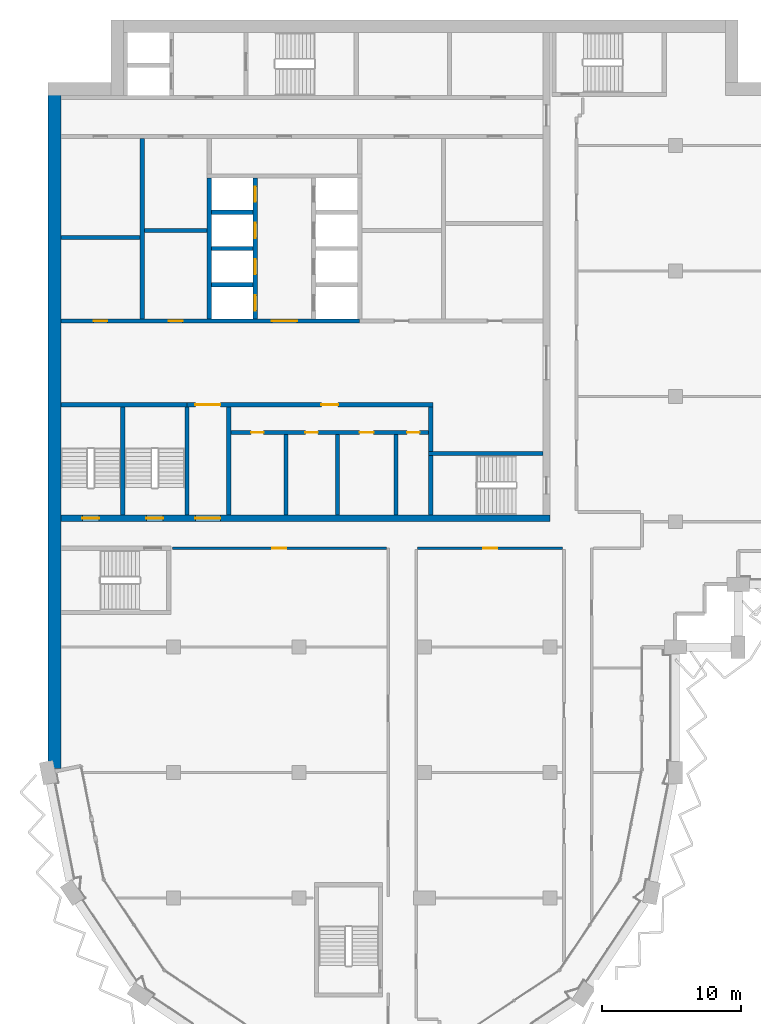
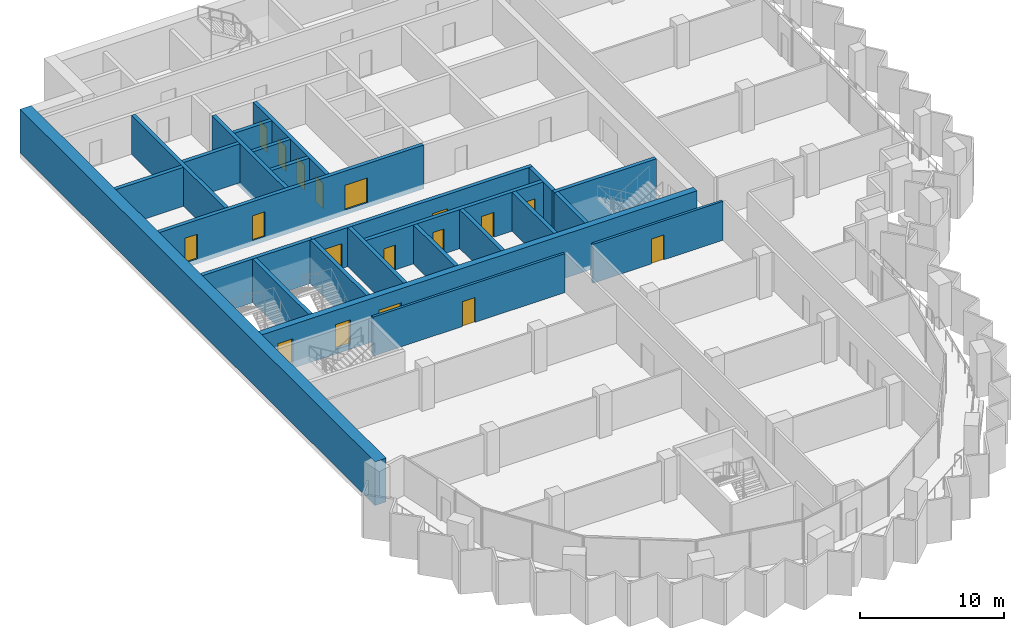
# One storey, part 8 of 16: 25 walls, 18 doors, 18 openings.
"""IFC4 building model written with IfcOpenShell, lengths in metres."""

from ifc_helpers import new_model, si_unit, direction, frame, frame_2d, origin, place, context, subcontext, project, spatial, rectangle, extrude, material, layer, layer_set, type_object, element, fill, save


model = new_model("IFC4")

# Units and contexts
model_context = context("Model", 3, precision=1e-05, world=origin(), true_north=direction((0.0, 1.0)))
body_context = subcontext(model_context, "Body", "Model", "MODEL_VIEW")
ifc_project = project(units=[si_unit("LENGTHUNIT", "METRE"), si_unit("AREAUNIT", "SQUARE_METRE"), si_unit("VOLUMEUNIT", "CUBIC_METRE"), si_unit("PLANEANGLEUNIT", "RADIAN"), si_unit("MASSUNIT", "GRAM", prefix="KILO")], contexts=[model_context])

# Site, building, storey
site_placement = place(None, origin())
site = spatial("IfcSite", under=ifc_project, at=site_placement, CompositionType="ELEMENT")
building_placement = place(site_placement, origin())
building = spatial("IfcBuilding", under=site, at=building_placement, Name="Hunhe Ridgeline Campus", CompositionType="ELEMENT")
storey_placement = place(building_placement, frame((0.0, 0.0, 239.199951171875)))
storey = spatial("IfcBuildingStorey", under=building, at=storey_placement, Name="L61", CompositionType="ELEMENT", Elevation=239.199951171875)

# Wall, openings, doors
ifc_material_1 = material(Name="Masonry concrete blockwork", Category="masonry")
ifc_layer_1 = layer(ifc_material_1, 0.300048828125)
ifc_layer_set_1 = layer_set([ifc_layer_1], Name="Core room partition 300 concrete block")
wall_type_1 = type_object("IfcWallType", Name="Core room partition 300 concrete block", PredefinedType="PARTITIONING", material=ifc_layer_set_1)
wall_1_placement = place(storey_placement, frame((13.10009765625, 69.39990234375, 0.0), z_axis=(0.0, 0.0, 1.0), x_axis=(1.0, 0.0, 0.0)))
wall_1 = element("IfcWall", 1, at=wall_1_placement, inside=storey, type_object=wall_type_1, Name="L61 core partition 7", PredefinedType="PARTITIONING", context=body_context, shape_type="SweptSolid", body=[
    extrude(rectangle(XDim=14.199951171875, YDim=0.300048828125, at=frame_2d((7.10009765625, 0.0))), origin(), (0.0, 0.0, 1.0), 3.300048828125),
])
opening_1_placement = place(wall_1_placement, frame((1.449951171875, 0.0, 0.0)))
opening_1 = element("IfcOpeningElement", 2, at=opening_1_placement, cuts=wall_1, Name="Opening CD8", PredefinedType="OPENING", context=body_context, shape_type="SweptSolid", body=[
    extrude(rectangle(XDim=0.89990234375, YDim=2.10009765625, at=frame_2d((0.449951171875, 1.050048828125))), frame((0.0, 0.14990234375, 0.0), z_axis=(0.0, -1.0, 0.0), x_axis=(1.0, 0.0, 0.0)), (0.0, 0.0, 1.0), 0.300048828125),
])
opening_2_placement = place(wall_1_placement, frame((5.35009765625, 0.0, 0.0)))
opening_2 = element("IfcOpeningElement", 3, at=opening_2_placement, cuts=wall_1, Name="Opening CD9", PredefinedType="OPENING", context=body_context, shape_type="SweptSolid", body=[
    extrude(rectangle(XDim=0.89990234375, YDim=2.10009765625, at=frame_2d((0.449951171875, 1.050048828125))), frame((0.0, 0.14990234375, 0.0), z_axis=(0.0, -1.0, 0.0), x_axis=(1.0, 0.0, 0.0)), (0.0, 0.0, 1.0), 0.300048828125),
])
opening_3_placement = place(wall_1_placement, frame((9.25, 0.0, 0.0)))
opening_3 = element("IfcOpeningElement", 4, at=opening_3_placement, cuts=wall_1, Name="Opening CD10", PredefinedType="OPENING", context=body_context, shape_type="SweptSolid", body=[
    extrude(rectangle(XDim=1.0, YDim=2.10009765625, at=frame_2d((0.5, 1.050048828125))), frame((0.0, 0.14990234375, 0.0), z_axis=(0.0, -1.0, 0.0), x_axis=(1.0, 0.0, 0.0)), (0.0, 0.0, 1.0), 0.300048828125),
])
opening_4_placement = place(wall_1_placement, frame((12.64990234375, 0.0, 0.0)))
opening_4 = element("IfcOpeningElement", 5, at=opening_4_placement, cuts=wall_1, Name="Opening CD11", PredefinedType="OPENING", context=body_context, shape_type="SweptSolid", body=[
    extrude(rectangle(XDim=0.89990234375, YDim=2.10009765625, at=frame_2d((0.449951171875, 1.050048828125))), frame((0.0, 0.14990234375, 0.0), z_axis=(0.0, -1.0, 0.0), x_axis=(1.0, 0.0, 0.0)), (0.0, 0.0, 1.0), 0.300048828125),
])
ifc_material_2 = material(Name="Solid core timber door leaf", Category="wood")
door_type_1 = type_object("IfcDoorType", Name="Timber door 1000x2100", OperationType="SINGLE_SWING_LEFT", PredefinedType="DOOR", material=ifc_material_2)
door_1_placement = place(opening_3_placement, frame((1.0, 0.0, 0.0), z_axis=(0.0, 0.0, 1.0), x_axis=(-1.0, 0.0, 0.0)))
door_1 = element("IfcDoor", 6, at=door_1_placement, inside=storey, type_object=door_type_1, Name="L61 door WC3", OperationType="SINGLE_SWING_LEFT", OverallHeight=2.10009765625, OverallWidth=1.0, PredefinedType="DOOR", context=body_context, shape_type="SweptSolid", body=[
    extrude(rectangle(XDim=1.0, YDim=2.10009765625, at=frame_2d((0.5, 1.050048828125))), frame((0.0, 0.02490234375, 0.0), z_axis=(0.0, -1.0, 0.0), x_axis=(1.0, 0.0, 0.0)), (0.0, 0.0, 1.0), 0.050048828125),
])
fill(opening_3, door_1)
door_type_2 = type_object("IfcDoorType", Name="Timber door 900x2100", OperationType="SINGLE_SWING_LEFT", PredefinedType="DOOR", material=ifc_material_2)
door_2_placement = place(opening_1_placement, frame((0.89990234375, 0.0, 0.0), z_axis=(0.0, 0.0, 1.0), x_axis=(-1.0, 0.0, 0.0)))
door_2 = element("IfcDoor", 7, at=door_2_placement, inside=storey, type_object=door_type_2, Name="L61 door WC1", OperationType="SINGLE_SWING_LEFT", OverallHeight=2.10009765625, OverallWidth=0.89990234375, PredefinedType="DOOR", context=body_context, shape_type="SweptSolid", body=[
    extrude(rectangle(XDim=0.89990234375, YDim=2.10009765625, at=frame_2d((0.449951171875, 1.050048828125))), frame((0.0, 0.02490234375, 0.0), z_axis=(0.0, -1.0, 0.0), x_axis=(1.0, 0.0, 0.0)), (0.0, 0.0, 1.0), 0.050048828125),
])
fill(opening_1, door_2)
door_3_placement = place(opening_2_placement, frame((0.89990234375, 0.0, 0.0), z_axis=(0.0, 0.0, 1.0), x_axis=(-1.0, 0.0, 0.0)))
door_3 = element("IfcDoor", 8, at=door_3_placement, inside=storey, type_object=door_type_2, Name="L61 door WC2", OperationType="SINGLE_SWING_RIGHT", OverallHeight=2.10009765625, OverallWidth=0.89990234375, PredefinedType="DOOR", context=body_context, shape_type="SweptSolid", body=[
    extrude(rectangle(XDim=0.89990234375, YDim=2.10009765625, at=frame_2d((0.449951171875, 1.050048828125))), frame((0.0, 0.02490234375, 0.0), z_axis=(0.0, -1.0, 0.0), x_axis=(1.0, 0.0, 0.0)), (0.0, 0.0, 1.0), 0.050048828125),
])
fill(opening_2, door_3)
door_4_placement = place(opening_4_placement, frame((0.89990234375, 0.0, 0.0), z_axis=(0.0, 0.0, 1.0), x_axis=(-1.0, 0.0, 0.0)))
door_4 = element("IfcDoor", 9, at=door_4_placement, inside=storey, type_object=door_type_2, Name="L61 door WC4", OperationType="SINGLE_SWING_RIGHT", OverallHeight=2.10009765625, OverallWidth=0.89990234375, PredefinedType="DOOR", context=body_context, shape_type="SweptSolid", body=[
    extrude(rectangle(XDim=0.89990234375, YDim=2.10009765625, at=frame_2d((0.449951171875, 1.050048828125))), frame((0.0, 0.02490234375, 0.0), z_axis=(0.0, -1.0, 0.0), x_axis=(1.0, 0.0, 0.0)), (0.0, 0.0, 1.0), 0.050048828125),
])
fill(opening_4, door_4)

wall_2_placement = place(storey_placement, frame((9.949951171875, 71.39990234375, 0.0), z_axis=(0.0, 0.0, 1.0), x_axis=(1.0, 0.0, 0.0)))
wall_2 = element("IfcWall", 10, at=wall_2_placement, inside=storey, type_object=wall_type_1, Name="L61 core partition 9", PredefinedType="PARTITIONING", context=body_context, shape_type="SweptSolid", body=[
    extrude(rectangle(XDim=17.650146484375, YDim=0.300048828125, at=frame_2d((8.8251953125, 0.0))), origin(), (0.0, 0.0, 1.0), 3.300048828125),
])
opening_5_placement = place(wall_2_placement, frame((0.60009765625, 0.0, 0.0)))
opening_5 = element("IfcOpeningElement", 11, at=opening_5_placement, cuts=wall_2, Name="Opening CD7", PredefinedType="OPENING", context=body_context, shape_type="SweptSolid", body=[
    extrude(rectangle(XDim=1.800048828125, YDim=2.10009765625, at=frame_2d((0.89990234375, 1.050048828125))), frame((0.0, 0.14990234375, 0.0), z_axis=(0.0, -1.0, 0.0), x_axis=(1.0, 0.0, 0.0)), (0.0, 0.0, 1.0), 0.300048828125),
])
opening_6_placement = place(wall_2_placement, frame((9.64990234375, 0.0, 0.0)))
opening_6 = element("IfcOpeningElement", 12, at=opening_6_placement, cuts=wall_2, Name="Opening CD12", PredefinedType="OPENING", context=body_context, shape_type="SweptSolid", body=[
    extrude(rectangle(XDim=1.199951171875, YDim=2.10009765625, at=frame_2d((0.60009765625, 1.050048828125))), frame((0.0, 0.14990234375, 0.0), z_axis=(0.0, -1.0, 0.0), x_axis=(1.0, 0.0, 0.0)), (0.0, 0.0, 1.0), 0.300048828125),
])
ifc_material_3 = material(Name="Anodised aluminium and glass", Category="aluminium")
door_type_3 = type_object("IfcDoorType", Name="Glazed double door 1800x2100", OperationType="DOUBLE_DOOR_SINGLE_SWING", PredefinedType="DOOR", material=ifc_material_3)
door_5_placement = place(opening_5_placement, origin())
door_5 = element("IfcDoor", 13, at=door_5_placement, inside=storey, type_object=door_type_3, Name="L61 door VEST-HALL", OperationType="DOUBLE_DOOR_SINGLE_SWING", OverallHeight=2.10009765625, OverallWidth=1.800048828125, PredefinedType="DOOR", context=body_context, shape_type="SweptSolid", body=[
    extrude(rectangle(XDim=1.800048828125, YDim=2.10009765625, at=frame_2d((0.89990234375, 1.050048828125))), frame((0.0, 0.02490234375, 0.0), z_axis=(0.0, -1.0, 0.0), x_axis=(1.0, 0.0, 0.0)), (0.0, 0.0, 1.0), 0.050048828125),
])
fill(opening_5, door_5)
door_type_4 = type_object("IfcDoorType", Name="Timber door 1200x2100", OperationType="SINGLE_SWING_LEFT", PredefinedType="DOOR", material=ifc_material_2)
door_6_placement = place(opening_6_placement, origin())
door_6 = element("IfcDoor", 14, at=door_6_placement, inside=storey, type_object=door_type_4, Name="L61 door WCL2-HALL", OperationType="SINGLE_SWING_RIGHT", OverallHeight=2.10009765625, OverallWidth=1.199951171875, PredefinedType="DOOR", context=body_context, shape_type="SweptSolid", body=[
    extrude(rectangle(XDim=1.199951171875, YDim=2.10009765625, at=frame_2d((0.60009765625, 1.050048828125))), frame((0.0, 0.02490234375, 0.0), z_axis=(0.0, -1.0, 0.0), x_axis=(1.0, 0.0, 0.0)), (0.0, 0.0, 1.0), 0.050048828125),
])
fill(opening_6, door_6)

# Walls
wall_3_placement = place(storey_placement, frame((0.89990234375, 83.39990234375, 0.0), z_axis=(0.0, 0.0, 1.0), x_axis=(1.0, 0.0, 0.0)))
element("IfcWall", 15, at=wall_3_placement, inside=storey, type_object=wall_type_1, Name="L61 core partition 16", PredefinedType="PARTITIONING", context=body_context, shape_type="SweptSolid", body=[
    extrude(rectangle(XDim=5.7001953125, YDim=0.300048828125, at=frame_2d((2.85009765625, 0.0))), origin(), (0.0, 0.0, 1.0), 3.300048828125),
])
wall_4_placement = place(storey_placement, frame((6.89990234375, 83.89990234375, 0.0), z_axis=(0.0, 0.0, 1.0), x_axis=(1.0, 0.0, 0.0)))
element("IfcWall", 16, at=wall_4_placement, inside=storey, type_object=wall_type_1, Name="L61 core partition 17", PredefinedType="PARTITIONING", context=body_context, shape_type="SweptSolid", body=[
    extrude(rectangle(XDim=4.5, YDim=0.300048828125, at=frame_2d((2.25, 0.0))), origin(), (0.0, 0.0, 1.0), 3.300048828125),
])
wall_5_placement = place(storey_placement, frame((6.75, 77.550048828125, 0.0), z_axis=(0.0, 0.0, 1.0), x_axis=(0.0, 1.0, 0.0)))
element("IfcWall", 17, at=wall_5_placement, inside=storey, type_object=wall_type_1, Name="L61 core partition 29", PredefinedType="PARTITIONING", context=body_context, shape_type="SweptSolid", body=[
    extrude(rectangle(XDim=12.949951171875, YDim=0.300048828125, at=frame_2d((6.47509765625, 0.0))), origin(), (0.0, 0.0, 1.0), 3.300048828125),
])
wall_6_placement = place(storey_placement, frame((12.949951171875, 63.5, 0.0), z_axis=(0.0, 0.0, 1.0), x_axis=(0.0, 1.0, 0.0)))
element("IfcWall", 18, at=wall_6_placement, inside=storey, type_object=wall_type_1, Name="L61 core partition 35", PredefinedType="PARTITIONING", context=body_context, shape_type="SweptSolid", body=[
    extrude(rectangle(XDim=7.75, YDim=0.300048828125, at=frame_2d((3.875, 0.0))), origin(), (0.0, 0.0, 1.0), 3.300048828125),
])
for number, where, z_axis, x_axis, name in (
    (19, (17.050048828125, 63.5, 0.0), (0.0, 0.0, 1.0), (0.0, 1.0, 0.0), "L61 core partition 38"),
    (20, (20.75, 63.5, 0.0), (0.0, 0.0, 1.0), (0.0, 1.0, 0.0), "L61 core partition 41"),
    (21, (24.949951171875, 63.5, 0.0), (0.0, 0.0, 1.0), (0.0, 1.0, 0.0), "L61 core partition 46"),
):
    element("IfcWall", number, at=place(storey_placement, frame(where, z_axis=z_axis, x_axis=x_axis)), inside=storey, type_object=wall_type_1, Name=name, PredefinedType="PARTITIONING", context=body_context, shape_type="SweptSolid", body=[
        extrude(rectangle(XDim=5.75, YDim=0.300048828125, at=frame_2d((2.875, 0.0))), origin(), (0.0, 0.0, 1.0), 3.300048828125),
    ])
wall_7_placement = place(storey_placement, frame((27.449951171875, 68.050048828125, 0.0), z_axis=(0.0, 0.0, 1.0), x_axis=(0.0, 1.0, 0.0)))
element("IfcWall", 22, at=wall_7_placement, inside=storey, type_object=wall_type_1, Name="L61 core partition 48", PredefinedType="PARTITIONING", context=body_context, shape_type="SweptSolid", body=[
    extrude(rectangle(XDim=3.199951171875, YDim=0.300048828125, at=frame_2d((1.60009765625, 0.0))), origin(), (0.0, 0.0, 1.0), 3.300048828125),
])

# Wall, openings, doors
ifc_material_4 = material(Name="Concrete C50", Category="concrete")
ifc_layer_2 = layer(ifc_material_4, 0.5)
ifc_layer_set_2 = layer_set([ifc_layer_2], Name="Core wall 500 reinforced concrete C50")
wall_type_2 = type_object("IfcWallType", Name="Core wall 500 reinforced concrete C50", PredefinedType="SOLIDWALL", material=ifc_layer_set_2)
wall_8_placement = place(storey_placement, frame((0.89990234375, 63.25, -0.39990234375), z_axis=(0.0, 0.0, 1.0), x_axis=(1.0, 0.0, 0.0)))
wall_8 = element("IfcWall", 23, at=wall_8_placement, inside=storey, type_object=wall_type_2, Name="L61 core wall 5", PredefinedType="SOLIDWALL", context=body_context, shape_type="SweptSolid", body=[
    extrude(rectangle(XDim=35.10009765625, YDim=0.5, at=frame_2d((17.550048828125, 0.0))), origin(), (0.0, 0.0, 1.0), 3.699951171875),
])
opening_7_placement = place(wall_8_placement, frame((9.64990234375, 0.0, 0.39990234375)))
opening_7 = element("IfcOpeningElement", 24, at=opening_7_placement, cuts=wall_8, Name="Opening CD6", PredefinedType="OPENING", context=body_context, shape_type="SweptSolid", body=[
    extrude(rectangle(XDim=1.800048828125, YDim=2.10009765625, at=frame_2d((0.89990234375, 1.050048828125))), frame((0.0, 0.25, 0.0), z_axis=(0.0, -1.0, 0.0), x_axis=(1.0, 0.0, 0.0)), (0.0, 0.0, 1.0), 0.5),
])
opening_8_placement = place(wall_8_placement, frame((1.550048828125, 0.0, 0.39990234375)))
opening_8 = element("IfcOpeningElement", 25, at=opening_8_placement, cuts=wall_8, Name="Opening CD13", PredefinedType="OPENING", context=body_context, shape_type="SweptSolid", body=[
    extrude(rectangle(XDim=1.199951171875, YDim=2.10009765625, at=frame_2d((0.60009765625, 1.050048828125))), frame((0.0, 0.25, 0.0), z_axis=(0.0, -1.0, 0.0), x_axis=(1.0, 0.0, 0.0)), (0.0, 0.0, 1.0), 0.5),
])
opening_9_placement = place(wall_8_placement, frame((6.14990234375, 0.0, 0.39990234375)))
opening_9 = element("IfcOpeningElement", 26, at=opening_9_placement, cuts=wall_8, Name="Opening CD14", PredefinedType="OPENING", context=body_context, shape_type="SweptSolid", body=[
    extrude(rectangle(XDim=1.199951171875, YDim=2.10009765625, at=frame_2d((0.60009765625, 1.050048828125))), frame((0.0, 0.25, 0.0), z_axis=(0.0, -1.0, 0.0), x_axis=(1.0, 0.0, 0.0)), (0.0, 0.0, 1.0), 0.5),
])
door_7_placement = place(opening_7_placement, frame((1.800048828125, 0.0, 0.0), z_axis=(0.0, 0.0, 1.0), x_axis=(-1.0, 0.0, 0.0)))
door_7 = element("IfcDoor", 27, at=door_7_placement, inside=storey, type_object=door_type_3, Name="L61 door VEST-FLOOR", OperationType="DOUBLE_DOOR_SINGLE_SWING", OverallHeight=2.10009765625, OverallWidth=1.800048828125, PredefinedType="DOOR", context=body_context, shape_type="SweptSolid", body=[
    extrude(rectangle(XDim=1.800048828125, YDim=2.10009765625, at=frame_2d((0.89990234375, 1.050048828125))), frame((0.0, 0.02490234375, 0.0), z_axis=(0.0, -1.0, 0.0), x_axis=(1.0, 0.0, 0.0)), (0.0, 0.0, 1.0), 0.050048828125),
])
fill(opening_7, door_7)
ifc_material_5 = material(Name="Hollow metal fire door leaf")
door_type_5 = type_object("IfcDoorType", Name="Stair door 1200x2100 FD60", OperationType="SINGLE_SWING_LEFT", PredefinedType="DOOR", material=ifc_material_5)
door_8_placement = place(opening_8_placement, frame((1.199951171875, 0.0, 0.0), z_axis=(0.0, 0.0, 1.0), x_axis=(-1.0, 0.0, 0.0)))
door_8 = element("IfcDoor", 28, at=door_8_placement, inside=storey, type_object=door_type_5, Name="L61 door S3", OperationType="SINGLE_SWING_LEFT", OverallHeight=2.10009765625, OverallWidth=1.199951171875, PredefinedType="DOOR", context=body_context, shape_type="SweptSolid", body=[
    extrude(rectangle(XDim=1.199951171875, YDim=2.10009765625, at=frame_2d((0.60009765625, 1.050048828125))), frame((0.0, 0.02490234375, 0.0), z_axis=(0.0, -1.0, 0.0), x_axis=(1.0, 0.0, 0.0)), (0.0, 0.0, 1.0), 0.050048828125),
])
fill(opening_8, door_8)
door_9_placement = place(opening_9_placement, frame((1.199951171875, 0.0, 0.0), z_axis=(0.0, 0.0, 1.0), x_axis=(-1.0, 0.0, 0.0)))
door_9 = element("IfcDoor", 29, at=door_9_placement, inside=storey, type_object=door_type_5, Name="L61 door S4", OperationType="SINGLE_SWING_RIGHT", OverallHeight=2.10009765625, OverallWidth=1.199951171875, PredefinedType="DOOR", context=body_context, shape_type="SweptSolid", body=[
    extrude(rectangle(XDim=1.199951171875, YDim=2.10009765625, at=frame_2d((0.60009765625, 1.050048828125))), frame((0.0, 0.02490234375, 0.0), z_axis=(0.0, -1.0, 0.0), x_axis=(1.0, 0.0, 0.0)), (0.0, 0.0, 1.0), 0.050048828125),
])
fill(opening_9, door_9)

# Wall, opening, door
ifc_material_6 = material(Name="Gypsum board partition")
ifc_layer_3 = layer(ifc_material_6, 0.199951171875)
ifc_layer_set_3 = layer_set([ifc_layer_3], Name="Corridor partition 200 gypsum board on steel studs")
wall_type_3 = type_object("IfcWallType", Name="Corridor partition 200 gypsum board on steel studs", PredefinedType="PARTITIONING", material=ifc_layer_set_3)
wall_9_placement = place(storey_placement, frame((24.265380859375, 61.10009765625, 0.0), z_axis=(0.0, 0.0, 1.0), x_axis=(-1.0, 0.0, 0.0)))
wall_9 = element("IfcWall", 30, at=wall_9_placement, inside=storey, type_object=wall_type_3, Name="F-L61-wall-019", PredefinedType="PARTITIONING", context=body_context, shape_type="SweptSolid", body=[
    extrude(rectangle(XDim=15.361328125, YDim=0.199951171875, at=frame_2d((7.6806640625, 0.0))), origin(), (0.0, 0.0, 1.0), 3.300048828125),
])
opening_10_placement = place(wall_9_placement, frame((7.1806640625, 0.0, 0.0)))
opening_10 = element("IfcOpeningElement", 31, at=opening_10_placement, cuts=wall_9, Name="Opening RD1-011", PredefinedType="OPENING", context=body_context, shape_type="SweptSolid", body=[
    extrude(rectangle(XDim=1.0, YDim=2.10009765625, at=frame_2d((0.5, 1.050048828125))), frame((0.0, 0.10009765625, 0.0), z_axis=(0.0, -1.0, 0.0), x_axis=(1.0, 0.0, 0.0)), (0.0, 0.0, 1.0), 0.199951171875),
])
ifc_material_7 = material(Name="Timber door leaf", Category="wood")
door_type_6 = type_object("IfcDoorType", Name="Single fire door 1000x2100 timber FD60", OperationType="NOTDEFINED", PredefinedType="DOOR", material=ifc_material_7)
door_10_placement = place(opening_10_placement, origin())
door_10 = element("IfcDoor", 32, at=door_10_placement, inside=storey, type_object=door_type_6, Name="F-L61-door-011", OperationType="SINGLE_SWING_LEFT", OverallHeight=2.10009765625, OverallWidth=1.0, PredefinedType="DOOR", context=body_context, shape_type="SweptSolid", body=[
    extrude(rectangle(XDim=1.0, YDim=2.10009765625, at=frame_2d((0.5, 1.050048828125))), frame((0.0, 0.02490234375, 0.0), z_axis=(0.0, -1.0, 0.0), x_axis=(1.0, 0.0, 0.0)), (0.0, 0.0, 1.0), 0.050048828125),
])
fill(opening_10, door_10)

wall_10_placement = place(storey_placement, frame((36.89990234375, 61.10009765625, 0.0), z_axis=(0.0, 0.0, 1.0), x_axis=(-1.0, 0.0, 0.0)))
wall_10 = element("IfcWall", 33, at=wall_10_placement, inside=storey, type_object=wall_type_3, Name="F-L61-wall-020", PredefinedType="PARTITIONING", context=body_context, shape_type="SweptSolid", body=[
    extrude(rectangle(XDim=10.39990234375, YDim=0.199951171875, at=frame_2d((5.199951171875, 0.0))), origin(), (0.0, 0.0, 1.0), 3.300048828125),
])
opening_11_placement = place(wall_10_placement, frame((4.699951171875, 0.0, 0.0)))
opening_11 = element("IfcOpeningElement", 34, at=opening_11_placement, cuts=wall_10, Name="Opening RD1-012", PredefinedType="OPENING", context=body_context, shape_type="SweptSolid", body=[
    extrude(rectangle(XDim=1.0, YDim=2.10009765625, at=frame_2d((0.5, 1.050048828125))), frame((0.0, 0.10009765625, 0.0), z_axis=(0.0, -1.0, 0.0), x_axis=(1.0, 0.0, 0.0)), (0.0, 0.0, 1.0), 0.199951171875),
])
door_11_placement = place(opening_11_placement, origin())
door_11 = element("IfcDoor", 35, at=door_11_placement, inside=storey, type_object=door_type_6, Name="F-L61-door-012", OperationType="SINGLE_SWING_LEFT", OverallHeight=2.10009765625, OverallWidth=1.0, PredefinedType="DOOR", context=body_context, shape_type="SweptSolid", body=[
    extrude(rectangle(XDim=1.0, YDim=2.10009765625, at=frame_2d((0.5, 1.050048828125))), frame((0.0, 0.02490234375, 0.0), z_axis=(0.0, -1.0, 0.0), x_axis=(1.0, 0.0, 0.0)), (0.0, 0.0, 1.0), 0.050048828125),
])
fill(opening_11, door_11)

# Wall, openings, doors
ifc_layer_4 = layer(ifc_material_4, 0.300048828125)
ifc_layer_set_4 = layer_set([ifc_layer_4], Name="Shaft wall 300 reinforced concrete C50")
wall_type_4 = type_object("IfcWallType", Name="Shaft wall 300 reinforced concrete C50", PredefinedType="SOLIDWALL", material=ifc_layer_set_4)
wall_11_placement = place(storey_placement, frame((0.89990234375, 77.39990234375, -0.39990234375), z_axis=(0.0, 0.0, 1.0), x_axis=(1.0, 0.0, 0.0)))
wall_11 = element("IfcWall", 36, at=wall_11_placement, inside=storey, type_object=wall_type_4, Name="L61 core wall 10", PredefinedType="SOLIDWALL", context=body_context, shape_type="SweptSolid", body=[
    extrude(rectangle(XDim=21.4501953125, YDim=0.300048828125, at=frame_2d((10.72509765625, 0.0))), origin(), (0.0, 0.0, 1.0), 3.699951171875),
])
opening_12_placement = place(wall_11_placement, frame((15.14990234375, 0.0, 0.39990234375)))
opening_12 = element("IfcOpeningElement", 37, at=opening_12_placement, cuts=wall_11, Name="Opening CD38", PredefinedType="OPENING", context=body_context, shape_type="SweptSolid", body=[
    extrude(rectangle(XDim=1.800048828125, YDim=2.10009765625, at=frame_2d((0.89990234375, 1.050048828125))), frame((0.0, 0.14990234375, 0.0), z_axis=(0.0, -1.0, 0.0), x_axis=(1.0, 0.0, 0.0)), (0.0, 0.0, 1.0), 0.300048828125),
])
opening_13_placement = place(wall_11_placement, frame((2.35009765625, 0.0, 0.39990234375)))
opening_13 = element("IfcOpeningElement", 38, at=opening_13_placement, cuts=wall_11, Name="Opening CD39", PredefinedType="OPENING", context=body_context, shape_type="SweptSolid", body=[
    extrude(rectangle(XDim=1.0, YDim=2.10009765625, at=frame_2d((0.5, 1.050048828125))), frame((0.0, 0.14990234375, 0.0), z_axis=(0.0, -1.0, 0.0), x_axis=(1.0, 0.0, 0.0)), (0.0, 0.0, 1.0), 0.300048828125),
])
opening_14_placement = place(wall_11_placement, frame((7.75, 0.0, 0.39990234375)))
opening_14 = element("IfcOpeningElement", 39, at=opening_14_placement, cuts=wall_11, Name="Opening CD41", PredefinedType="OPENING", context=body_context, shape_type="SweptSolid", body=[
    extrude(rectangle(XDim=1.0, YDim=2.10009765625, at=frame_2d((0.5, 1.050048828125))), frame((0.0, 0.14990234375, 0.0), z_axis=(0.0, -1.0, 0.0), x_axis=(1.0, 0.0, 0.0)), (0.0, 0.0, 1.0), 0.300048828125),
])
door_type_7 = type_object("IfcDoorType", Name="Lobby door 1800x2100 FD60", OperationType="SINGLE_SWING_LEFT", PredefinedType="DOOR", material=ifc_material_5)
door_12_placement = place(opening_12_placement, frame((1.800048828125, 0.0, 0.0), z_axis=(0.0, 0.0, 1.0), x_axis=(-1.0, 0.0, 0.0)))
door_12 = element("IfcDoor", 40, at=door_12_placement, inside=storey, type_object=door_type_7, Name="L61 door LOB-HR", OperationType="SINGLE_SWING_RIGHT", OverallHeight=2.10009765625, OverallWidth=1.800048828125, PredefinedType="DOOR", context=body_context, shape_type="SweptSolid", body=[
    extrude(rectangle(XDim=1.800048828125, YDim=2.10009765625, at=frame_2d((0.89990234375, 1.050048828125))), frame((0.0, 0.02490234375, 0.0), z_axis=(0.0, -1.0, 0.0), x_axis=(1.0, 0.0, 0.0)), (0.0, 0.0, 1.0), 0.050048828125),
])
fill(opening_12, door_12)
door_13_placement = place(opening_13_placement, origin())
door_13 = element("IfcDoor", 41, at=door_13_placement, inside=storey, type_object=door_type_1, Name="L61 door VD-LR0", OperationType="SINGLE_SWING_RIGHT", OverallHeight=2.10009765625, OverallWidth=1.0, PredefinedType="DOOR", context=body_context, shape_type="SweptSolid", body=[
    extrude(rectangle(XDim=1.0, YDim=2.10009765625, at=frame_2d((0.5, 1.050048828125))), frame((0.0, 0.02490234375, 0.0), z_axis=(0.0, -1.0, 0.0), x_axis=(1.0, 0.0, 0.0)), (0.0, 0.0, 1.0), 0.050048828125),
])
fill(opening_13, door_13)
door_14_placement = place(opening_14_placement, origin())
door_14 = element("IfcDoor", 42, at=door_14_placement, inside=storey, type_object=door_type_1, Name="L61 door VD-LR2", OperationType="SINGLE_SWING_RIGHT", OverallHeight=2.10009765625, OverallWidth=1.0, PredefinedType="DOOR", context=body_context, shape_type="SweptSolid", body=[
    extrude(rectangle(XDim=1.0, YDim=2.10009765625, at=frame_2d((0.5, 1.050048828125))), frame((0.0, 0.02490234375, 0.0), z_axis=(0.0, -1.0, 0.0), x_axis=(1.0, 0.0, 0.0)), (0.0, 0.0, 1.0), 0.050048828125),
])
fill(opening_14, door_14)

# Walls
for number, where, z_axis, x_axis, name in (
    (43, (11.699951171875, 80.0, -0.39990234375), (0.0, 0.0, 1.0), (1.0, 0.0, 0.0), "L61 core wall 12"),
    (44, (11.699951171875, 82.60009765625, -0.39990234375), (0.0, 0.0, 1.0), (1.0, 0.0, 0.0), "L61 core wall 14"),
    (45, (11.699951171875, 85.199951171875, -0.39990234375), (0.0, 0.0, 1.0), (1.0, 0.0, 0.0), "L61 core wall 20"),
):
    element("IfcWall", number, at=place(storey_placement, frame(where, z_axis=z_axis, x_axis=x_axis)), inside=storey, type_object=wall_type_4, Name=name, PredefinedType="SOLIDWALL", context=body_context, shape_type="SweptSolid", body=[
        extrude(rectangle(XDim=3.0, YDim=0.300048828125, at=frame_2d((1.5, 0.0))), origin(), (0.0, 0.0, 1.0), 3.699951171875),
    ])
wall_12_placement = place(storey_placement, frame((11.550048828125, 77.550048828125, -0.39990234375), z_axis=(0.0, 0.0, 1.0), x_axis=(0.0, 1.0, 0.0)))
element("IfcWall", 46, at=wall_12_placement, inside=storey, type_object=wall_type_4, Name="L61 core wall 33", PredefinedType="SOLIDWALL", context=body_context, shape_type="SweptSolid", body=[
    extrude(rectangle(XDim=10.099853515625, YDim=0.300048828125, at=frame_2d((5.0498046875, 0.0))), origin(), (0.0, 0.0, 1.0), 3.699951171875),
])

# Wall, openings, doors
wall_13_placement = place(storey_placement, frame((14.85009765625, 77.550048828125, -0.39990234375), z_axis=(0.0, 0.0, 1.0), x_axis=(0.0, 1.0, 0.0)))
wall_13 = element("IfcWall", 47, at=wall_13_placement, inside=storey, type_object=wall_type_4, Name="L61 core wall 37", PredefinedType="SOLIDWALL", context=body_context, shape_type="SweptSolid", body=[
    extrude(rectangle(XDim=10.099853515625, YDim=0.300048828125, at=frame_2d((5.0498046875, 0.0))), origin(), (0.0, 0.0, 1.0), 3.699951171875),
])
opening_15_placement = place(wall_13_placement, frame((0.60009765625, 0.0, 0.39990234375)))
opening_15 = element("IfcOpeningElement", 48, at=opening_15_placement, cuts=wall_13, Name="Opening LD-HR1", PredefinedType="OPENING", context=body_context, shape_type="SweptSolid", body=[
    extrude(rectangle(XDim=1.10009765625, YDim=2.10009765625, at=frame_2d((0.550048828125, 1.050048828125))), frame((0.0, 0.14990234375, 0.0), z_axis=(0.0, -1.0, 0.0), x_axis=(1.0, 0.0, 0.0)), (0.0, 0.0, 1.0), 0.300048828125),
])
opening_16_placement = place(wall_13_placement, frame((3.199951171875, 0.0, 0.39990234375)))
opening_16 = element("IfcOpeningElement", 49, at=opening_16_placement, cuts=wall_13, Name="Opening LD-HR2", PredefinedType="OPENING", context=body_context, shape_type="SweptSolid", body=[
    extrude(rectangle(XDim=1.10009765625, YDim=2.10009765625, at=frame_2d((0.550048828125, 1.050048828125))), frame((0.0, 0.14990234375, 0.0), z_axis=(0.0, -1.0, 0.0), x_axis=(1.0, 0.0, 0.0)), (0.0, 0.0, 1.0), 0.300048828125),
])
opening_17_placement = place(wall_13_placement, frame((5.800048828125, 0.0, 0.39990234375)))
opening_17 = element("IfcOpeningElement", 50, at=opening_17_placement, cuts=wall_13, Name="Opening LD-HR3", PredefinedType="OPENING", context=body_context, shape_type="SweptSolid", body=[
    extrude(rectangle(XDim=1.10009765625, YDim=2.10009765625, at=frame_2d((0.550048828125, 1.050048828125))), frame((0.0, 0.14990234375, 0.0), z_axis=(0.0, -1.0, 0.0), x_axis=(1.0, 0.0, 0.0)), (0.0, 0.0, 1.0), 0.300048828125),
])
opening_18_placement = place(wall_13_placement, frame((8.39990234375, 0.0, 0.39990234375)))
opening_18 = element("IfcOpeningElement", 51, at=opening_18_placement, cuts=wall_13, Name="Opening LD-HR4", PredefinedType="OPENING", context=body_context, shape_type="SweptSolid", body=[
    extrude(rectangle(XDim=1.10009765625, YDim=2.10009765625, at=frame_2d((0.550048828125, 1.050048828125))), frame((0.0, 0.14990234375, 0.0), z_axis=(0.0, -1.0, 0.0), x_axis=(1.0, 0.0, 0.0)), (0.0, 0.0, 1.0), 0.300048828125),
])
ifc_material_8 = material(Name="Stainless steel sliding leaves", Category="steel")
door_type_8 = type_object("IfcDoorType", Name="Landing door 1100x2100 FD120", OperationType="SLIDING_TO_LEFT", PredefinedType="DOOR", material=ifc_material_8)
door_15_placement = place(opening_15_placement, origin())
door_15 = element("IfcDoor", 52, at=door_15_placement, inside=storey, type_object=door_type_8, Name="L61 landing door HR1", OperationType="SLIDING_TO_RIGHT", OverallHeight=2.10009765625, OverallWidth=1.10009765625, PredefinedType="DOOR", context=body_context, shape_type="SweptSolid", body=[
    extrude(rectangle(XDim=1.10009765625, YDim=2.10009765625, at=frame_2d((0.550048828125, 1.050048828125))), frame((0.0, 0.02490234375, 0.0), z_axis=(0.0, -1.0, 0.0), x_axis=(1.0, 0.0, 0.0)), (0.0, 0.0, 1.0), 0.050048828125),
])
fill(opening_15, door_15)
door_16_placement = place(opening_16_placement, origin())
door_16 = element("IfcDoor", 53, at=door_16_placement, inside=storey, type_object=door_type_8, Name="L61 landing door HR2", OperationType="SLIDING_TO_LEFT", OverallHeight=2.10009765625, OverallWidth=1.10009765625, PredefinedType="DOOR", context=body_context, shape_type="SweptSolid", body=[
    extrude(rectangle(XDim=1.10009765625, YDim=2.10009765625, at=frame_2d((0.550048828125, 1.050048828125))), frame((0.0, 0.02490234375, 0.0), z_axis=(0.0, -1.0, 0.0), x_axis=(1.0, 0.0, 0.0)), (0.0, 0.0, 1.0), 0.050048828125),
])
fill(opening_16, door_16)
door_17_placement = place(opening_17_placement, origin())
door_17 = element("IfcDoor", 54, at=door_17_placement, inside=storey, type_object=door_type_8, Name="L61 landing door HR3", OperationType="SLIDING_TO_RIGHT", OverallHeight=2.10009765625, OverallWidth=1.10009765625, PredefinedType="DOOR", context=body_context, shape_type="SweptSolid", body=[
    extrude(rectangle(XDim=1.10009765625, YDim=2.10009765625, at=frame_2d((0.550048828125, 1.050048828125))), frame((0.0, 0.02490234375, 0.0), z_axis=(0.0, -1.0, 0.0), x_axis=(1.0, 0.0, 0.0)), (0.0, 0.0, 1.0), 0.050048828125),
])
fill(opening_17, door_17)
door_18_placement = place(opening_18_placement, origin())
door_18 = element("IfcDoor", 55, at=door_18_placement, inside=storey, type_object=door_type_8, Name="L61 landing door HR4", OperationType="SLIDING_TO_LEFT", OverallHeight=2.10009765625, OverallWidth=1.10009765625, PredefinedType="DOOR", context=body_context, shape_type="SweptSolid", body=[
    extrude(rectangle(XDim=1.10009765625, YDim=2.10009765625, at=frame_2d((0.550048828125, 1.050048828125))), frame((0.0, 0.02490234375, 0.0), z_axis=(0.0, -1.0, 0.0), x_axis=(1.0, 0.0, 0.0)), (0.0, 0.0, 1.0), 0.050048828125),
])
fill(opening_18, door_18)

# Walls
ifc_material_9 = material(Name="Concrete C60", Category="concrete")
ifc_layer_5 = layer(ifc_material_9, 0.89990234375)
ifc_layer_set_5 = layer_set([ifc_layer_5], Name="Spine wall 900 Concrete C60")
wall_type_5 = type_object("IfcWallType", Name="Spine wall 900 Concrete C60", PredefinedType="SHEAR", material=ifc_layer_set_5)
wall_14_placement = place(storey_placement, frame((0.449951171875, 94.5, 0.0), z_axis=(0.0, 0.0, 1.0), x_axis=(0.0, -1.0, 0.0)))
element("IfcWall", 56, at=wall_14_placement, inside=storey, type_object=wall_type_5, Name="Spine wall SW3-1 L61", PredefinedType="SHEAR", context=body_context, shape_type="SweptSolid", body=[
    extrude(rectangle(XDim=49.199462890625, YDim=0.89990234375, at=frame_2d((24.599609375, 0.0))), origin(), (0.0, 0.0, 1.0), 3.699951171875),
])
ifc_layer_6 = layer(ifc_material_4, 0.300048828125)
ifc_layer_set_6 = layer_set([ifc_layer_6], Name="Stair wall 300 reinforced concrete C50")
wall_type_6 = type_object("IfcWallType", Name="Stair wall 300 reinforced concrete C50", PredefinedType="SOLIDWALL", material=ifc_layer_set_6)
wall_15_placement = place(storey_placement, frame((27.300048828125, 67.89990234375, -0.39990234375), z_axis=(0.0, 0.0, 1.0), x_axis=(1.0, 0.0, 0.0)))
element("IfcWall", 57, at=wall_15_placement, inside=storey, type_object=wall_type_6, Name="L61 core wall 6", PredefinedType="SOLIDWALL", context=body_context, shape_type="SweptSolid", body=[
    extrude(rectangle(XDim=8.199951171875, YDim=0.300048828125, at=frame_2d((4.10009765625, 0.0))), origin(), (0.0, 0.0, 1.0), 3.699951171875),
])
wall_16_placement = place(storey_placement, frame((0.89990234375, 71.39990234375, -0.39990234375), z_axis=(0.0, 0.0, 1.0), x_axis=(1.0, 0.0, 0.0)))
element("IfcWall", 58, at=wall_16_placement, inside=storey, type_object=wall_type_6, Name="L61 core wall 8", PredefinedType="SOLIDWALL", context=body_context, shape_type="SweptSolid", body=[
    extrude(rectangle(XDim=9.050048828125, YDim=0.300048828125, at=frame_2d((4.52490234375, 0.0))), origin(), (0.0, 0.0, 1.0), 3.699951171875),
])
for number, where, z_axis, x_axis, name in (
    (59, (5.35009765625, 63.5, -0.39990234375), (0.0, 0.0, 1.0), (0.0, 1.0, 0.0), "L61 core wall 27"),
    (60, (9.949951171875, 63.5, -0.39990234375), (0.0, 0.0, 1.0), (0.0, 1.0, 0.0), "L61 core wall 32"),
):
    element("IfcWall", number, at=place(storey_placement, frame(where, z_axis=z_axis, x_axis=x_axis)), inside=storey, type_object=wall_type_6, Name=name, PredefinedType="SOLIDWALL", context=body_context, shape_type="SweptSolid", body=[
        extrude(rectangle(XDim=7.75, YDim=0.300048828125, at=frame_2d((3.875, 0.0))), origin(), (0.0, 0.0, 1.0), 3.699951171875),
    ])
wall_17_placement = place(storey_placement, frame((27.449951171875, 63.5, -0.39990234375), z_axis=(0.0, 0.0, 1.0), x_axis=(0.0, 1.0, 0.0)))
element("IfcWall", 61, at=wall_17_placement, inside=storey, type_object=wall_type_6, Name="L61 core wall 47", PredefinedType="SOLIDWALL", context=body_context, shape_type="SweptSolid", body=[
    extrude(rectangle(XDim=4.25, YDim=0.300048828125, at=frame_2d((2.125, 0.0))), origin(), (0.0, 0.0, 1.0), 3.699951171875),
])

save(model, "model.ifc")
